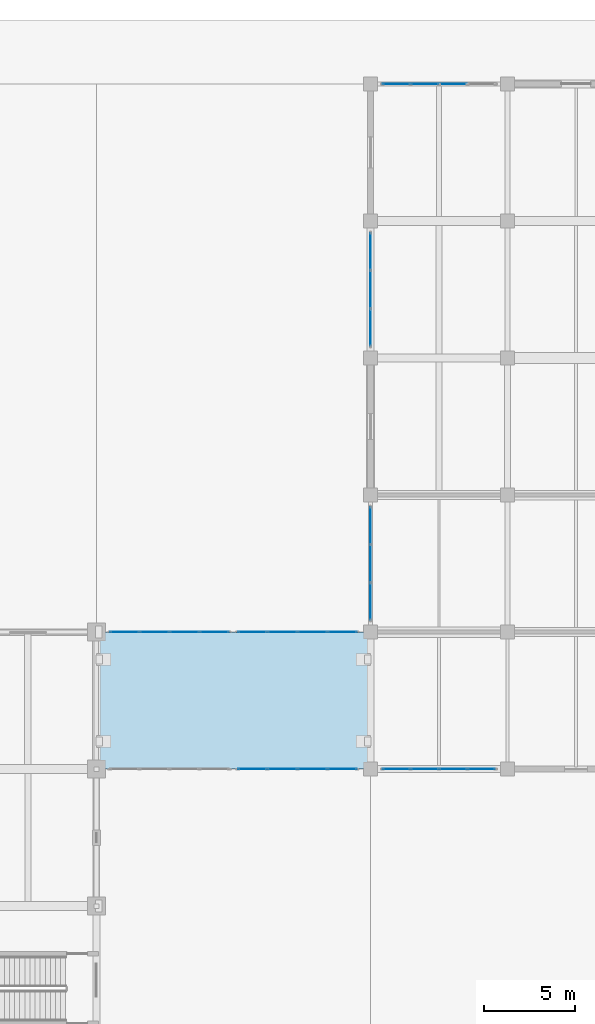
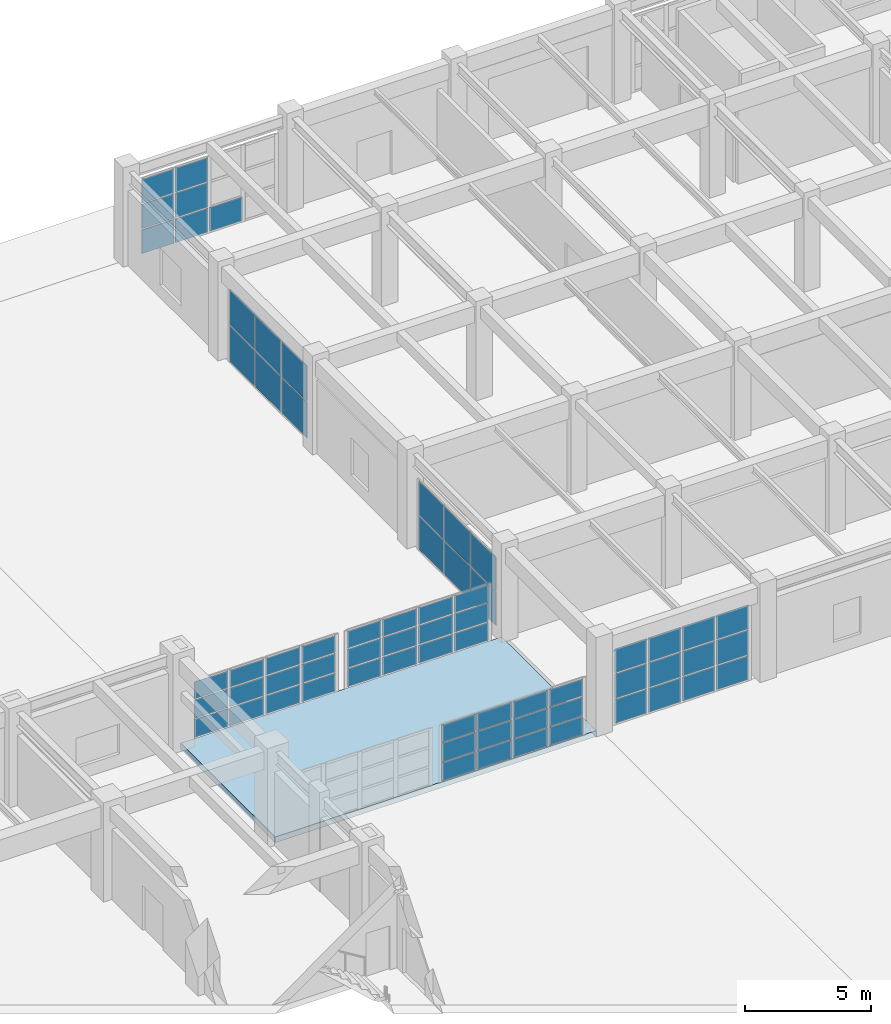
# One storey, part 78 of 122: 67 plates, 1 slab, 7 elements without a shape of their own.
"""IFC4 building model written with IfcOpenShell, lengths in metres."""

from ifc_helpers import new_model, si_unit, direction, frame, origin, origin_2d, place, context, subcontext, project, spatial, polyline, rectangle, outline, extrude, material, layer, layer_set, type_object, element, aggregate, save


model = new_model("IFC4")

# Units and contexts
model_context = context("Model", 3, precision=1e-05, world=origin(), true_north=direction((0.0, 1.0)))
body_context = subcontext(model_context, "Body", "Model", "MODEL_VIEW")
ifc_project = project(units=[si_unit("LENGTHUNIT", "METRE"), si_unit("AREAUNIT", "SQUARE_METRE"), si_unit("VOLUMEUNIT", "CUBIC_METRE"), si_unit("PLANEANGLEUNIT", "RADIAN"), si_unit("MASSUNIT", "GRAM", prefix="KILO")], contexts=[model_context])

# Site, building, storey
site_placement = place(None, origin())
site = spatial("IfcSite", under=ifc_project, at=site_placement, CompositionType="ELEMENT")
building_placement = place(site_placement, origin())
building = spatial("IfcBuilding", under=site, at=building_placement, Name="Qasida Concert Hall", CompositionType="ELEMENT")
storey_placement = place(building_placement, origin())
storey = spatial("IfcBuildingStorey", under=building, at=storey_placement, Name="L00", CompositionType="ELEMENT", Elevation=0.0)

# Curtain wall, plates
ifc_material_1 = material(Name="Architectural bronze-anodized aluminium and low-E glass", Category="aluminium")
curtain_wall_type_1 = type_object("IfcCurtainWallType", Name="CW-03", PredefinedType="NOTDEFINED", material=ifc_material_1)
curtain_wall_1_placement = place(storey_placement, origin())
curtain_wall_1 = element("IfcCurtainWall", 1, at=curtain_wall_1_placement, inside=storey, type_object=curtain_wall_type_1, Name="L00 curtain wall CW-03 0151", PredefinedType="NOTDEFINED")
ifc_material_2 = material(Name="Solar-control low-E double glazing", Category="glass")
ifc_layer_1 = layer(ifc_material_2, 0.031982421875, Name="Solar-control low-E double glazing")
ifc_layer_set_1 = layer_set([ifc_layer_1], Name="Solar-control low-E double glazing")
plate_type_1 = type_object("IfcPlateType", Name="PLT-CWP-2", PredefinedType="CURTAIN_PANEL", material=ifc_layer_set_1)
plate_1_placement = place(storey_placement, frame((121.418701171875, 75.0, 0.06005859375), z_axis=(0.0, 0.0, 1.0), x_axis=(1.0, 0.0, 0.0)))
plate_1 = element("IfcPlate", 2, at=plate_1_placement, type_object=plate_type_1, Name="CW-03 panel 1.1", PredefinedType="CURTAIN_PANEL", context=body_context, shape_type="SweptSolid", body=[
    extrude(rectangle(XDim=1.467529296875, YDim=0.031982421875, at=origin_2d()), origin(), (0.0, 0.0, 1.0), 1.14990234375),
])
plate_2_placement = place(storey_placement, frame((121.418701171875, 75.0, 1.27001953125), z_axis=(0.0, 0.0, 1.0), x_axis=(1.0, 0.0, 0.0)))
plate_2 = element("IfcPlate", 3, at=plate_2_placement, type_object=plate_type_1, Name="CW-03 panel 1.2", PredefinedType="CURTAIN_PANEL", context=body_context, shape_type="SweptSolid", body=[
    extrude(rectangle(XDim=1.467529296875, YDim=0.031982421875, at=origin_2d()), origin(), (0.0, 0.0, 1.0), 1.179931640625),
])
plate_3_placement = place(storey_placement, frame((121.418701171875, 75.0, 2.510009765625), z_axis=(0.0, 0.0, 1.0), x_axis=(1.0, 0.0, 0.0)))
plate_3 = element("IfcPlate", 4, at=plate_3_placement, type_object=plate_type_1, Name="CW-03 panel 1.3", PredefinedType="CURTAIN_PANEL", context=body_context, shape_type="SweptSolid", body=[
    extrude(rectangle(XDim=1.467529296875, YDim=0.031982421875, at=origin_2d()), origin(), (0.0, 0.0, 1.0), 1.14990234375),
])
plate_4_placement = place(storey_placement, frame((122.967529296875, 75.0, 0.06005859375), z_axis=(0.0, 0.0, 1.0), x_axis=(1.0, 0.0, 0.0)))
plate_4 = element("IfcPlate", 5, at=plate_4_placement, type_object=plate_type_1, Name="CW-03 panel 2.1", PredefinedType="CURTAIN_PANEL", context=body_context, shape_type="SweptSolid", body=[
    extrude(rectangle(XDim=1.5, YDim=0.031982421875, at=origin_2d()), origin(), (0.0, 0.0, 1.0), 1.14990234375),
])
plate_5_placement = place(storey_placement, frame((122.967529296875, 75.0, 1.27001953125), z_axis=(0.0, 0.0, 1.0), x_axis=(1.0, 0.0, 0.0)))
plate_5 = element("IfcPlate", 6, at=plate_5_placement, type_object=plate_type_1, Name="CW-03 panel 2.2", PredefinedType="CURTAIN_PANEL", context=body_context, shape_type="SweptSolid", body=[
    extrude(rectangle(XDim=1.5, YDim=0.031982421875, at=origin_2d()), origin(), (0.0, 0.0, 1.0), 1.179931640625),
])
plate_6_placement = place(storey_placement, frame((122.967529296875, 75.0, 2.510009765625), z_axis=(0.0, 0.0, 1.0), x_axis=(1.0, 0.0, 0.0)))
plate_6 = element("IfcPlate", 7, at=plate_6_placement, type_object=plate_type_1, Name="CW-03 panel 2.3", PredefinedType="CURTAIN_PANEL", context=body_context, shape_type="SweptSolid", body=[
    extrude(rectangle(XDim=1.5, YDim=0.031982421875, at=origin_2d()), origin(), (0.0, 0.0, 1.0), 1.14990234375),
])
plate_7_placement = place(storey_placement, frame((124.532470703125, 75.0, 0.06005859375), z_axis=(0.0, 0.0, 1.0), x_axis=(1.0, 0.0, 0.0)))
plate_7 = element("IfcPlate", 8, at=plate_7_placement, type_object=plate_type_1, Name="CW-03 panel 3.1", PredefinedType="CURTAIN_PANEL", context=body_context, shape_type="SweptSolid", body=[
    extrude(rectangle(XDim=1.5, YDim=0.031982421875, at=origin_2d()), origin(), (0.0, 0.0, 1.0), 1.14990234375),
])
plate_8_placement = place(storey_placement, frame((124.532470703125, 75.0, 1.27001953125), z_axis=(0.0, 0.0, 1.0), x_axis=(1.0, 0.0, 0.0)))
plate_8 = element("IfcPlate", 9, at=plate_8_placement, type_object=plate_type_1, Name="CW-03 panel 3.2", PredefinedType="CURTAIN_PANEL", context=body_context, shape_type="SweptSolid", body=[
    extrude(rectangle(XDim=1.5, YDim=0.031982421875, at=origin_2d()), origin(), (0.0, 0.0, 1.0), 1.179931640625),
])
plate_9_placement = place(storey_placement, frame((124.532470703125, 75.0, 2.510009765625), z_axis=(0.0, 0.0, 1.0), x_axis=(1.0, 0.0, 0.0)))
plate_9 = element("IfcPlate", 10, at=plate_9_placement, type_object=plate_type_1, Name="CW-03 panel 3.3", PredefinedType="CURTAIN_PANEL", context=body_context, shape_type="SweptSolid", body=[
    extrude(rectangle(XDim=1.5, YDim=0.031982421875, at=origin_2d()), origin(), (0.0, 0.0, 1.0), 1.14990234375),
])
plate_10_placement = place(storey_placement, frame((126.081298828125, 75.0, 0.06005859375), z_axis=(0.0, 0.0, 1.0), x_axis=(1.0, 0.0, 0.0)))
plate_10 = element("IfcPlate", 11, at=plate_10_placement, type_object=plate_type_1, Name="CW-03 panel 4.1", PredefinedType="CURTAIN_PANEL", context=body_context, shape_type="SweptSolid", body=[
    extrude(rectangle(XDim=1.467529296875, YDim=0.031982421875, at=origin_2d()), origin(), (0.0, 0.0, 1.0), 1.14990234375),
])
plate_11_placement = place(storey_placement, frame((126.081298828125, 75.0, 1.27001953125), z_axis=(0.0, 0.0, 1.0), x_axis=(1.0, 0.0, 0.0)))
plate_11 = element("IfcPlate", 12, at=plate_11_placement, type_object=plate_type_1, Name="CW-03 panel 4.2", PredefinedType="CURTAIN_PANEL", context=body_context, shape_type="SweptSolid", body=[
    extrude(rectangle(XDim=1.467529296875, YDim=0.031982421875, at=origin_2d()), origin(), (0.0, 0.0, 1.0), 1.179931640625),
])
plate_12_placement = place(storey_placement, frame((126.081298828125, 75.0, 2.510009765625), z_axis=(0.0, 0.0, 1.0), x_axis=(1.0, 0.0, 0.0)))
plate_12 = element("IfcPlate", 13, at=plate_12_placement, type_object=plate_type_1, Name="CW-03 panel 4.3", PredefinedType="CURTAIN_PANEL", context=body_context, shape_type="SweptSolid", body=[
    extrude(rectangle(XDim=1.467529296875, YDim=0.031982421875, at=origin_2d()), origin(), (0.0, 0.0, 1.0), 1.14990234375),
])
aggregate(curtain_wall_1, [plate_1, plate_2, plate_3, plate_4, plate_5, plate_6, plate_7, plate_8, plate_9, plate_10, plate_11, plate_12])

curtain_wall_type_2 = type_object("IfcCurtainWallType", Name="CW-04", PredefinedType="NOTDEFINED", material=ifc_material_1)
curtain_wall_2_placement = place(storey_placement, origin())
curtain_wall_2 = element("IfcCurtainWall", 14, at=curtain_wall_2_placement, inside=storey, type_object=curtain_wall_type_2, Name="L00 curtain wall CW-04 0152", PredefinedType="NOTDEFINED")
plate_13_placement = place(storey_placement, frame((121.418701171875, 112.5, 0.06005859375), z_axis=(0.0, 0.0, 1.0), x_axis=(1.0, 0.0, 0.0)))
plate_13 = element("IfcPlate", 15, at=plate_13_placement, type_object=plate_type_1, Name="CW-04 panel 1.1", PredefinedType="CURTAIN_PANEL", context=body_context, shape_type="SweptSolid", body=[
    extrude(rectangle(XDim=1.467529296875, YDim=0.031982421875, at=origin_2d()), origin(), (0.0, 0.0, 1.0), 1.14990234375),
])
plate_14_placement = place(storey_placement, frame((121.418701171875, 112.5, 1.27001953125), z_axis=(0.0, 0.0, 1.0), x_axis=(1.0, 0.0, 0.0)))
plate_14 = element("IfcPlate", 16, at=plate_14_placement, type_object=plate_type_1, Name="CW-04 panel 1.2", PredefinedType="CURTAIN_PANEL", context=body_context, shape_type="SweptSolid", body=[
    extrude(rectangle(XDim=1.467529296875, YDim=0.031982421875, at=origin_2d()), origin(), (0.0, 0.0, 1.0), 1.179931640625),
])
plate_15_placement = place(storey_placement, frame((121.418701171875, 112.5, 2.510009765625), z_axis=(0.0, 0.0, 1.0), x_axis=(1.0, 0.0, 0.0)))
plate_15 = element("IfcPlate", 17, at=plate_15_placement, type_object=plate_type_1, Name="CW-04 panel 1.3", PredefinedType="CURTAIN_PANEL", context=body_context, shape_type="SweptSolid", body=[
    extrude(rectangle(XDim=1.467529296875, YDim=0.031982421875, at=origin_2d()), origin(), (0.0, 0.0, 1.0), 1.14990234375),
])
plate_16_placement = place(storey_placement, frame((122.967529296875, 112.5, 0.06005859375), z_axis=(0.0, 0.0, 1.0), x_axis=(1.0, 0.0, 0.0)))
plate_16 = element("IfcPlate", 18, at=plate_16_placement, type_object=plate_type_1, Name="CW-04 panel 2.1", PredefinedType="CURTAIN_PANEL", context=body_context, shape_type="SweptSolid", body=[
    extrude(rectangle(XDim=1.5, YDim=0.031982421875, at=origin_2d()), origin(), (0.0, 0.0, 1.0), 1.14990234375),
])
plate_17_placement = place(storey_placement, frame((122.967529296875, 112.5, 1.27001953125), z_axis=(0.0, 0.0, 1.0), x_axis=(1.0, 0.0, 0.0)))
plate_17 = element("IfcPlate", 19, at=plate_17_placement, type_object=plate_type_1, Name="CW-04 panel 2.2", PredefinedType="CURTAIN_PANEL", context=body_context, shape_type="SweptSolid", body=[
    extrude(rectangle(XDim=1.5, YDim=0.031982421875, at=origin_2d()), origin(), (0.0, 0.0, 1.0), 1.179931640625),
])
plate_18_placement = place(storey_placement, frame((122.967529296875, 112.5, 2.510009765625), z_axis=(0.0, 0.0, 1.0), x_axis=(1.0, 0.0, 0.0)))
plate_18 = element("IfcPlate", 20, at=plate_18_placement, type_object=plate_type_1, Name="CW-04 panel 2.3", PredefinedType="CURTAIN_PANEL", context=body_context, shape_type="SweptSolid", body=[
    extrude(rectangle(XDim=1.5, YDim=0.031982421875, at=origin_2d()), origin(), (0.0, 0.0, 1.0), 1.14990234375),
])
plate_19_placement = place(storey_placement, frame((124.532470703125, 112.5, 0.06005859375), z_axis=(0.0, 0.0, 1.0), x_axis=(1.0, 0.0, 0.0)))
plate_19 = element("IfcPlate", 21, at=plate_19_placement, type_object=plate_type_1, Name="CW-04 panel 3.1", PredefinedType="CURTAIN_PANEL", context=body_context, shape_type="SweptSolid", body=[
    extrude(rectangle(XDim=1.5, YDim=0.031982421875, at=origin_2d()), origin(), (0.0, 0.0, 1.0), 1.14990234375),
])
aggregate(curtain_wall_2, [plate_13, plate_14, plate_15, plate_16, plate_17, plate_18, plate_19])

curtain_wall_type_3 = type_object("IfcCurtainWallType", Name="CW-09", PredefinedType="NOTDEFINED", material=ifc_material_1)
curtain_wall_3_placement = place(storey_placement, origin())
curtain_wall_3 = element("IfcCurtainWall", 22, at=curtain_wall_3_placement, inside=storey, type_object=curtain_wall_type_3, Name="L00 curtain wall CW-09 0156", PredefinedType="NOTDEFINED")
ifc_layer_2 = layer(ifc_material_2, 0.028076171875, Name="Solar-control low-E double glazing")
ifc_layer_set_2 = layer_set([ifc_layer_2], Name="Solar-control low-E double glazing")
plate_type_2 = type_object("IfcPlateType", Name="PLT-CWP-3", PredefinedType="CURTAIN_PANEL", material=ifc_layer_set_2)
plate_20_placement = place(storey_placement, frame((120.0, 84.17822265625, 0.06005859375), z_axis=(0.0, 0.0, 1.0), x_axis=(0.0, 1.0, 0.0)))
plate_20 = element("IfcPlate", 23, at=plate_20_placement, type_object=plate_type_2, Name="CW-09 panel 1.1", PredefinedType="CURTAIN_PANEL", context=body_context, shape_type="SweptSolid", body=[
    extrude(rectangle(XDim=1.99658203125, YDim=0.028076171875, at=origin_2d()), origin(), (0.0, 0.0, 1.0), 1.6201171875),
])
plate_21_placement = place(storey_placement, frame((120.0, 84.17822265625, 1.739990234375), z_axis=(0.0, 0.0, 1.0), x_axis=(0.0, 1.0, 0.0)))
plate_21 = element("IfcPlate", 24, at=plate_21_placement, type_object=plate_type_2, Name="CW-09 panel 1.2", PredefinedType="CURTAIN_PANEL", context=body_context, shape_type="SweptSolid", body=[
    extrude(rectangle(XDim=1.99658203125, YDim=0.028076171875, at=origin_2d()), origin(), (0.0, 0.0, 1.0), 1.6201171875),
])
plate_22_placement = place(storey_placement, frame((120.0, 86.25, 0.06005859375), z_axis=(0.0, 0.0, 1.0), x_axis=(0.0, 1.0, 0.0)))
plate_22 = element("IfcPlate", 25, at=plate_22_placement, type_object=plate_type_2, Name="CW-09 panel 2.1", PredefinedType="CURTAIN_PANEL", context=body_context, shape_type="SweptSolid", body=[
    extrude(rectangle(XDim=2.026611328125, YDim=0.028076171875, at=origin_2d()), origin(), (0.0, 0.0, 1.0), 1.6201171875),
])
plate_23_placement = place(storey_placement, frame((120.0, 86.25, 1.739990234375), z_axis=(0.0, 0.0, 1.0), x_axis=(0.0, 1.0, 0.0)))
plate_23 = element("IfcPlate", 26, at=plate_23_placement, type_object=plate_type_2, Name="CW-09 panel 2.2", PredefinedType="CURTAIN_PANEL", context=body_context, shape_type="SweptSolid", body=[
    extrude(rectangle(XDim=2.026611328125, YDim=0.028076171875, at=origin_2d()), origin(), (0.0, 0.0, 1.0), 1.6201171875),
])
plate_24_placement = place(storey_placement, frame((120.0, 88.32177734375, 0.06005859375), z_axis=(0.0, 0.0, 1.0), x_axis=(0.0, 1.0, 0.0)))
plate_24 = element("IfcPlate", 27, at=plate_24_placement, type_object=plate_type_2, Name="CW-09 panel 3.1", PredefinedType="CURTAIN_PANEL", context=body_context, shape_type="SweptSolid", body=[
    extrude(rectangle(XDim=1.99658203125, YDim=0.028076171875, at=origin_2d()), origin(), (0.0, 0.0, 1.0), 1.6201171875),
])
plate_25_placement = place(storey_placement, frame((120.0, 88.32177734375, 1.739990234375), z_axis=(0.0, 0.0, 1.0), x_axis=(0.0, 1.0, 0.0)))
plate_25 = element("IfcPlate", 28, at=plate_25_placement, type_object=plate_type_2, Name="CW-09 panel 3.2", PredefinedType="CURTAIN_PANEL", context=body_context, shape_type="SweptSolid", body=[
    extrude(rectangle(XDim=1.99658203125, YDim=0.028076171875, at=origin_2d()), origin(), (0.0, 0.0, 1.0), 1.6201171875),
])
aggregate(curtain_wall_3, [plate_20, plate_21, plate_22, plate_23, plate_24, plate_25])

curtain_wall_4_placement = place(storey_placement, origin())
curtain_wall_4 = element("IfcCurtainWall", 29, at=curtain_wall_4_placement, inside=storey, type_object=curtain_wall_type_3, Name="L00 curtain wall CW-09 0158", PredefinedType="NOTDEFINED")
plate_26_placement = place(storey_placement, frame((120.0, 99.17822265625, 0.06005859375), z_axis=(0.0, 0.0, 1.0), x_axis=(0.0, 1.0, 0.0)))
plate_26 = element("IfcPlate", 30, at=plate_26_placement, type_object=plate_type_2, Name="CW-09 panel 1.1", PredefinedType="CURTAIN_PANEL", context=body_context, shape_type="SweptSolid", body=[
    extrude(rectangle(XDim=1.99658203125, YDim=0.028076171875, at=origin_2d()), origin(), (0.0, 0.0, 1.0), 1.719970703125),
])
plate_27_placement = place(storey_placement, frame((120.0, 99.17822265625, 1.83984375), z_axis=(0.0, 0.0, 1.0), x_axis=(0.0, 1.0, 0.0)))
plate_27 = element("IfcPlate", 31, at=plate_27_placement, type_object=plate_type_2, Name="CW-09 panel 1.2", PredefinedType="CURTAIN_PANEL", context=body_context, shape_type="SweptSolid", body=[
    extrude(rectangle(XDim=1.99658203125, YDim=0.028076171875, at=origin_2d()), origin(), (0.0, 0.0, 1.0), 1.719970703125),
])
plate_28_placement = place(storey_placement, frame((120.0, 101.25, 0.06005859375), z_axis=(0.0, 0.0, 1.0), x_axis=(0.0, 1.0, 0.0)))
plate_28 = element("IfcPlate", 32, at=plate_28_placement, type_object=plate_type_2, Name="CW-09 panel 2.1", PredefinedType="CURTAIN_PANEL", context=body_context, shape_type="SweptSolid", body=[
    extrude(rectangle(XDim=2.026611328125, YDim=0.028076171875, at=origin_2d()), origin(), (0.0, 0.0, 1.0), 1.719970703125),
])
plate_29_placement = place(storey_placement, frame((120.0, 101.25, 1.83984375), z_axis=(0.0, 0.0, 1.0), x_axis=(0.0, 1.0, 0.0)))
plate_29 = element("IfcPlate", 33, at=plate_29_placement, type_object=plate_type_2, Name="CW-09 panel 2.2", PredefinedType="CURTAIN_PANEL", context=body_context, shape_type="SweptSolid", body=[
    extrude(rectangle(XDim=2.026611328125, YDim=0.028076171875, at=origin_2d()), origin(), (0.0, 0.0, 1.0), 1.719970703125),
])
plate_30_placement = place(storey_placement, frame((120.0, 103.32177734375, 0.06005859375), z_axis=(0.0, 0.0, 1.0), x_axis=(0.0, 1.0, 0.0)))
plate_30 = element("IfcPlate", 34, at=plate_30_placement, type_object=plate_type_2, Name="CW-09 panel 3.1", PredefinedType="CURTAIN_PANEL", context=body_context, shape_type="SweptSolid", body=[
    extrude(rectangle(XDim=1.99658203125, YDim=0.028076171875, at=origin_2d()), origin(), (0.0, 0.0, 1.0), 1.719970703125),
])
plate_31_placement = place(storey_placement, frame((120.0, 103.32177734375, 1.83984375), z_axis=(0.0, 0.0, 1.0), x_axis=(0.0, 1.0, 0.0)))
plate_31 = element("IfcPlate", 35, at=plate_31_placement, type_object=plate_type_2, Name="CW-09 panel 3.2", PredefinedType="CURTAIN_PANEL", context=body_context, shape_type="SweptSolid", body=[
    extrude(rectangle(XDim=1.99658203125, YDim=0.028076171875, at=origin_2d()), origin(), (0.0, 0.0, 1.0), 1.719970703125),
])
aggregate(curtain_wall_4, [plate_26, plate_27, plate_28, plate_29, plate_30, plate_31])

curtain_wall_type_4 = type_object("IfcCurtainWallType", Name="CW-08", PredefinedType="NOTDEFINED", material=ifc_material_1)
curtain_wall_5_placement = place(storey_placement, origin())
curtain_wall_5 = element("IfcCurtainWall", 36, at=curtain_wall_5_placement, inside=storey, type_object=curtain_wall_type_4, Name="L00 link bridge glazing 0223", PredefinedType="NOTDEFINED")
ifc_layer_3 = layer(ifc_material_2, 0.02392578125, Name="Solar-control low-E double glazing")
ifc_layer_set_3 = layer_set([ifc_layer_3], Name="Solar-control low-E double glazing")
plate_type_3 = type_object("IfcPlateType", Name="PLT-CWP-5", PredefinedType="CURTAIN_PANEL", material=ifc_layer_set_3)
plate_32_placement = place(storey_placement, frame((106.541259765625, 82.5, 0.06005859375), z_axis=(0.0, 0.0, 1.0), x_axis=(1.0, 0.0, 0.0)))
plate_32 = element("IfcPlate", 37, at=plate_32_placement, type_object=plate_type_3, Name="CW-08 panel 1.1", PredefinedType="CURTAIN_PANEL", context=body_context, shape_type="SweptSolid", body=[
    extrude(rectangle(XDim=1.552490234375, YDim=0.02392578125, at=origin_2d()), origin(), (0.0, 0.0, 1.0), 0.860107421875),
])
plate_33_placement = place(storey_placement, frame((106.541259765625, 82.5, 0.97998046875), z_axis=(0.0, 0.0, 1.0), x_axis=(1.0, 0.0, 0.0)))
plate_33 = element("IfcPlate", 38, at=plate_33_placement, type_object=plate_type_3, Name="CW-08 panel 1.2", PredefinedType="CURTAIN_PANEL", context=body_context, shape_type="SweptSolid", body=[
    extrude(rectangle(XDim=1.552490234375, YDim=0.02392578125, at=origin_2d()), origin(), (0.0, 0.0, 1.0), 0.889892578125),
])
plate_34_placement = place(storey_placement, frame((106.541259765625, 82.5, 1.929931640625), z_axis=(0.0, 0.0, 1.0), x_axis=(1.0, 0.0, 0.0)))
plate_34 = element("IfcPlate", 39, at=plate_34_placement, type_object=plate_type_3, Name="CW-08 panel 1.3", PredefinedType="CURTAIN_PANEL", context=body_context, shape_type="SweptSolid", body=[
    extrude(rectangle(XDim=1.552490234375, YDim=0.02392578125, at=origin_2d()), origin(), (0.0, 0.0, 1.0), 0.81005859375),
])
plate_35_placement = place(storey_placement, frame((108.175048828125, 82.5, 0.06005859375), z_axis=(0.0, 0.0, 1.0), x_axis=(1.0, 0.0, 0.0)))
plate_35 = element("IfcPlate", 40, at=plate_35_placement, type_object=plate_type_3, Name="CW-08 panel 2.1", PredefinedType="CURTAIN_PANEL", context=body_context, shape_type="SweptSolid", body=[
    extrude(rectangle(XDim=1.5849609375, YDim=0.02392578125, at=origin_2d()), origin(), (0.0, 0.0, 1.0), 0.860107421875),
])
plate_36_placement = place(storey_placement, frame((108.175048828125, 82.5, 0.97998046875), z_axis=(0.0, 0.0, 1.0), x_axis=(1.0, 0.0, 0.0)))
plate_36 = element("IfcPlate", 41, at=plate_36_placement, type_object=plate_type_3, Name="CW-08 panel 2.2", PredefinedType="CURTAIN_PANEL", context=body_context, shape_type="SweptSolid", body=[
    extrude(rectangle(XDim=1.5849609375, YDim=0.02392578125, at=origin_2d()), origin(), (0.0, 0.0, 1.0), 0.889892578125),
])
plate_37_placement = place(storey_placement, frame((108.175048828125, 82.5, 1.929931640625), z_axis=(0.0, 0.0, 1.0), x_axis=(1.0, 0.0, 0.0)))
plate_37 = element("IfcPlate", 42, at=plate_37_placement, type_object=plate_type_3, Name="CW-08 panel 2.3", PredefinedType="CURTAIN_PANEL", context=body_context, shape_type="SweptSolid", body=[
    extrude(rectangle(XDim=1.5849609375, YDim=0.02392578125, at=origin_2d()), origin(), (0.0, 0.0, 1.0), 0.81005859375),
])
plate_38_placement = place(storey_placement, frame((109.824951171875, 82.5, 0.06005859375), z_axis=(0.0, 0.0, 1.0), x_axis=(1.0, 0.0, 0.0)))
plate_38 = element("IfcPlate", 43, at=plate_38_placement, type_object=plate_type_3, Name="CW-08 panel 3.1", PredefinedType="CURTAIN_PANEL", context=body_context, shape_type="SweptSolid", body=[
    extrude(rectangle(XDim=1.5849609375, YDim=0.02392578125, at=origin_2d()), origin(), (0.0, 0.0, 1.0), 0.860107421875),
])
plate_39_placement = place(storey_placement, frame((109.824951171875, 82.5, 0.97998046875), z_axis=(0.0, 0.0, 1.0), x_axis=(1.0, 0.0, 0.0)))
plate_39 = element("IfcPlate", 44, at=plate_39_placement, type_object=plate_type_3, Name="CW-08 panel 3.2", PredefinedType="CURTAIN_PANEL", context=body_context, shape_type="SweptSolid", body=[
    extrude(rectangle(XDim=1.5849609375, YDim=0.02392578125, at=origin_2d()), origin(), (0.0, 0.0, 1.0), 0.889892578125),
])
plate_40_placement = place(storey_placement, frame((109.824951171875, 82.5, 1.929931640625), z_axis=(0.0, 0.0, 1.0), x_axis=(1.0, 0.0, 0.0)))
plate_40 = element("IfcPlate", 45, at=plate_40_placement, type_object=plate_type_3, Name="CW-08 panel 3.3", PredefinedType="CURTAIN_PANEL", context=body_context, shape_type="SweptSolid", body=[
    extrude(rectangle(XDim=1.5849609375, YDim=0.02392578125, at=origin_2d()), origin(), (0.0, 0.0, 1.0), 0.81005859375),
])
plate_41_placement = place(storey_placement, frame((111.458740234375, 82.5, 0.06005859375), z_axis=(0.0, 0.0, 1.0), x_axis=(1.0, 0.0, 0.0)))
plate_41 = element("IfcPlate", 46, at=plate_41_placement, type_object=plate_type_3, Name="CW-08 panel 4.1", PredefinedType="CURTAIN_PANEL", context=body_context, shape_type="SweptSolid", body=[
    extrude(rectangle(XDim=1.552490234375, YDim=0.02392578125, at=origin_2d()), origin(), (0.0, 0.0, 1.0), 0.860107421875),
])
plate_42_placement = place(storey_placement, frame((111.458740234375, 82.5, 0.97998046875), z_axis=(0.0, 0.0, 1.0), x_axis=(1.0, 0.0, 0.0)))
plate_42 = element("IfcPlate", 47, at=plate_42_placement, type_object=plate_type_3, Name="CW-08 panel 4.2", PredefinedType="CURTAIN_PANEL", context=body_context, shape_type="SweptSolid", body=[
    extrude(rectangle(XDim=1.552490234375, YDim=0.02392578125, at=origin_2d()), origin(), (0.0, 0.0, 1.0), 0.889892578125),
])
plate_43_placement = place(storey_placement, frame((111.458740234375, 82.5, 1.929931640625), z_axis=(0.0, 0.0, 1.0), x_axis=(1.0, 0.0, 0.0)))
plate_43 = element("IfcPlate", 48, at=plate_43_placement, type_object=plate_type_3, Name="CW-08 panel 4.3", PredefinedType="CURTAIN_PANEL", context=body_context, shape_type="SweptSolid", body=[
    extrude(rectangle(XDim=1.552490234375, YDim=0.02392578125, at=origin_2d()), origin(), (0.0, 0.0, 1.0), 0.81005859375),
])
aggregate(curtain_wall_5, [plate_32, plate_33, plate_34, plate_35, plate_36, plate_37, plate_38, plate_39, plate_40, plate_41, plate_42, plate_43])

curtain_wall_6_placement = place(storey_placement, origin())
curtain_wall_6 = element("IfcCurtainWall", 49, at=curtain_wall_6_placement, inside=storey, type_object=curtain_wall_type_4, Name="L00 link bridge glazing 0224", PredefinedType="NOTDEFINED")
plate_44_placement = place(storey_placement, frame((113.541259765625, 75.0, 0.06005859375), z_axis=(0.0, 0.0, 1.0), x_axis=(1.0, 0.0, 0.0)))
plate_44 = element("IfcPlate", 50, at=plate_44_placement, type_object=plate_type_3, Name="CW-08 panel 1.1", PredefinedType="CURTAIN_PANEL", context=body_context, shape_type="SweptSolid", body=[
    extrude(rectangle(XDim=1.552490234375, YDim=0.02392578125, at=origin_2d()), origin(), (0.0, 0.0, 1.0), 0.860107421875),
])
plate_45_placement = place(storey_placement, frame((113.541259765625, 75.0, 0.97998046875), z_axis=(0.0, 0.0, 1.0), x_axis=(1.0, 0.0, 0.0)))
plate_45 = element("IfcPlate", 51, at=plate_45_placement, type_object=plate_type_3, Name="CW-08 panel 1.2", PredefinedType="CURTAIN_PANEL", context=body_context, shape_type="SweptSolid", body=[
    extrude(rectangle(XDim=1.552490234375, YDim=0.02392578125, at=origin_2d()), origin(), (0.0, 0.0, 1.0), 0.889892578125),
])
plate_46_placement = place(storey_placement, frame((113.541259765625, 75.0, 1.929931640625), z_axis=(0.0, 0.0, 1.0), x_axis=(1.0, 0.0, 0.0)))
plate_46 = element("IfcPlate", 52, at=plate_46_placement, type_object=plate_type_3, Name="CW-08 panel 1.3", PredefinedType="CURTAIN_PANEL", context=body_context, shape_type="SweptSolid", body=[
    extrude(rectangle(XDim=1.552490234375, YDim=0.02392578125, at=origin_2d()), origin(), (0.0, 0.0, 1.0), 0.81005859375),
])
plate_47_placement = place(storey_placement, frame((115.175048828125, 75.0, 0.06005859375), z_axis=(0.0, 0.0, 1.0), x_axis=(1.0, 0.0, 0.0)))
plate_47 = element("IfcPlate", 53, at=plate_47_placement, type_object=plate_type_3, Name="CW-08 panel 2.1", PredefinedType="CURTAIN_PANEL", context=body_context, shape_type="SweptSolid", body=[
    extrude(rectangle(XDim=1.5849609375, YDim=0.02392578125, at=origin_2d()), origin(), (0.0, 0.0, 1.0), 0.860107421875),
])
plate_48_placement = place(storey_placement, frame((115.175048828125, 75.0, 0.97998046875), z_axis=(0.0, 0.0, 1.0), x_axis=(1.0, 0.0, 0.0)))
plate_48 = element("IfcPlate", 54, at=plate_48_placement, type_object=plate_type_3, Name="CW-08 panel 2.2", PredefinedType="CURTAIN_PANEL", context=body_context, shape_type="SweptSolid", body=[
    extrude(rectangle(XDim=1.5849609375, YDim=0.02392578125, at=origin_2d()), origin(), (0.0, 0.0, 1.0), 0.889892578125),
])
plate_49_placement = place(storey_placement, frame((115.175048828125, 75.0, 1.929931640625), z_axis=(0.0, 0.0, 1.0), x_axis=(1.0, 0.0, 0.0)))
plate_49 = element("IfcPlate", 55, at=plate_49_placement, type_object=plate_type_3, Name="CW-08 panel 2.3", PredefinedType="CURTAIN_PANEL", context=body_context, shape_type="SweptSolid", body=[
    extrude(rectangle(XDim=1.5849609375, YDim=0.02392578125, at=origin_2d()), origin(), (0.0, 0.0, 1.0), 0.81005859375),
])
plate_50_placement = place(storey_placement, frame((116.824951171875, 75.0, 0.06005859375), z_axis=(0.0, 0.0, 1.0), x_axis=(1.0, 0.0, 0.0)))
plate_50 = element("IfcPlate", 56, at=plate_50_placement, type_object=plate_type_3, Name="CW-08 panel 3.1", PredefinedType="CURTAIN_PANEL", context=body_context, shape_type="SweptSolid", body=[
    extrude(rectangle(XDim=1.5849609375, YDim=0.02392578125, at=origin_2d()), origin(), (0.0, 0.0, 1.0), 0.860107421875),
])
plate_51_placement = place(storey_placement, frame((116.824951171875, 75.0, 0.97998046875), z_axis=(0.0, 0.0, 1.0), x_axis=(1.0, 0.0, 0.0)))
plate_51 = element("IfcPlate", 57, at=plate_51_placement, type_object=plate_type_3, Name="CW-08 panel 3.2", PredefinedType="CURTAIN_PANEL", context=body_context, shape_type="SweptSolid", body=[
    extrude(rectangle(XDim=1.5849609375, YDim=0.02392578125, at=origin_2d()), origin(), (0.0, 0.0, 1.0), 0.889892578125),
])
plate_52_placement = place(storey_placement, frame((116.824951171875, 75.0, 1.929931640625), z_axis=(0.0, 0.0, 1.0), x_axis=(1.0, 0.0, 0.0)))
plate_52 = element("IfcPlate", 58, at=plate_52_placement, type_object=plate_type_3, Name="CW-08 panel 3.3", PredefinedType="CURTAIN_PANEL", context=body_context, shape_type="SweptSolid", body=[
    extrude(rectangle(XDim=1.5849609375, YDim=0.02392578125, at=origin_2d()), origin(), (0.0, 0.0, 1.0), 0.81005859375),
])
plate_53_placement = place(storey_placement, frame((118.458740234375, 75.0, 0.06005859375), z_axis=(0.0, 0.0, 1.0), x_axis=(1.0, 0.0, 0.0)))
plate_53 = element("IfcPlate", 59, at=plate_53_placement, type_object=plate_type_3, Name="CW-08 panel 4.1", PredefinedType="CURTAIN_PANEL", context=body_context, shape_type="SweptSolid", body=[
    extrude(rectangle(XDim=1.552490234375, YDim=0.02392578125, at=origin_2d()), origin(), (0.0, 0.0, 1.0), 0.860107421875),
])
plate_54_placement = place(storey_placement, frame((118.458740234375, 75.0, 0.97998046875), z_axis=(0.0, 0.0, 1.0), x_axis=(1.0, 0.0, 0.0)))
plate_54 = element("IfcPlate", 60, at=plate_54_placement, type_object=plate_type_3, Name="CW-08 panel 4.2", PredefinedType="CURTAIN_PANEL", context=body_context, shape_type="SweptSolid", body=[
    extrude(rectangle(XDim=1.552490234375, YDim=0.02392578125, at=origin_2d()), origin(), (0.0, 0.0, 1.0), 0.889892578125),
])
plate_55_placement = place(storey_placement, frame((118.458740234375, 75.0, 1.929931640625), z_axis=(0.0, 0.0, 1.0), x_axis=(1.0, 0.0, 0.0)))
plate_55 = element("IfcPlate", 61, at=plate_55_placement, type_object=plate_type_3, Name="CW-08 panel 4.3", PredefinedType="CURTAIN_PANEL", context=body_context, shape_type="SweptSolid", body=[
    extrude(rectangle(XDim=1.552490234375, YDim=0.02392578125, at=origin_2d()), origin(), (0.0, 0.0, 1.0), 0.81005859375),
])
aggregate(curtain_wall_6, [plate_44, plate_45, plate_46, plate_47, plate_48, plate_49, plate_50, plate_51, plate_52, plate_53, plate_54, plate_55])

curtain_wall_7_placement = place(storey_placement, origin())
curtain_wall_7 = element("IfcCurtainWall", 62, at=curtain_wall_7_placement, inside=storey, type_object=curtain_wall_type_4, Name="L00 link bridge glazing 0225", PredefinedType="NOTDEFINED")
plate_56_placement = place(storey_placement, frame((113.541259765625, 82.5, 0.06005859375), z_axis=(0.0, 0.0, 1.0), x_axis=(1.0, 0.0, 0.0)))
plate_56 = element("IfcPlate", 63, at=plate_56_placement, type_object=plate_type_3, Name="CW-08 panel 1.1", PredefinedType="CURTAIN_PANEL", context=body_context, shape_type="SweptSolid", body=[
    extrude(rectangle(XDim=1.552490234375, YDim=0.02392578125, at=origin_2d()), origin(), (0.0, 0.0, 1.0), 0.860107421875),
])
plate_57_placement = place(storey_placement, frame((113.541259765625, 82.5, 0.97998046875), z_axis=(0.0, 0.0, 1.0), x_axis=(1.0, 0.0, 0.0)))
plate_57 = element("IfcPlate", 64, at=plate_57_placement, type_object=plate_type_3, Name="CW-08 panel 1.2", PredefinedType="CURTAIN_PANEL", context=body_context, shape_type="SweptSolid", body=[
    extrude(rectangle(XDim=1.552490234375, YDim=0.02392578125, at=origin_2d()), origin(), (0.0, 0.0, 1.0), 0.889892578125),
])
plate_58_placement = place(storey_placement, frame((113.541259765625, 82.5, 1.929931640625), z_axis=(0.0, 0.0, 1.0), x_axis=(1.0, 0.0, 0.0)))
plate_58 = element("IfcPlate", 65, at=plate_58_placement, type_object=plate_type_3, Name="CW-08 panel 1.3", PredefinedType="CURTAIN_PANEL", context=body_context, shape_type="SweptSolid", body=[
    extrude(rectangle(XDim=1.552490234375, YDim=0.02392578125, at=origin_2d()), origin(), (0.0, 0.0, 1.0), 0.81005859375),
])
plate_59_placement = place(storey_placement, frame((115.175048828125, 82.5, 0.06005859375), z_axis=(0.0, 0.0, 1.0), x_axis=(1.0, 0.0, 0.0)))
plate_59 = element("IfcPlate", 66, at=plate_59_placement, type_object=plate_type_3, Name="CW-08 panel 2.1", PredefinedType="CURTAIN_PANEL", context=body_context, shape_type="SweptSolid", body=[
    extrude(rectangle(XDim=1.5849609375, YDim=0.02392578125, at=origin_2d()), origin(), (0.0, 0.0, 1.0), 0.860107421875),
])
plate_60_placement = place(storey_placement, frame((115.175048828125, 82.5, 0.97998046875), z_axis=(0.0, 0.0, 1.0), x_axis=(1.0, 0.0, 0.0)))
plate_60 = element("IfcPlate", 67, at=plate_60_placement, type_object=plate_type_3, Name="CW-08 panel 2.2", PredefinedType="CURTAIN_PANEL", context=body_context, shape_type="SweptSolid", body=[
    extrude(rectangle(XDim=1.5849609375, YDim=0.02392578125, at=origin_2d()), origin(), (0.0, 0.0, 1.0), 0.889892578125),
])
plate_61_placement = place(storey_placement, frame((115.175048828125, 82.5, 1.929931640625), z_axis=(0.0, 0.0, 1.0), x_axis=(1.0, 0.0, 0.0)))
plate_61 = element("IfcPlate", 68, at=plate_61_placement, type_object=plate_type_3, Name="CW-08 panel 2.3", PredefinedType="CURTAIN_PANEL", context=body_context, shape_type="SweptSolid", body=[
    extrude(rectangle(XDim=1.5849609375, YDim=0.02392578125, at=origin_2d()), origin(), (0.0, 0.0, 1.0), 0.81005859375),
])
plate_62_placement = place(storey_placement, frame((116.824951171875, 82.5, 0.06005859375), z_axis=(0.0, 0.0, 1.0), x_axis=(1.0, 0.0, 0.0)))
plate_62 = element("IfcPlate", 69, at=plate_62_placement, type_object=plate_type_3, Name="CW-08 panel 3.1", PredefinedType="CURTAIN_PANEL", context=body_context, shape_type="SweptSolid", body=[
    extrude(rectangle(XDim=1.5849609375, YDim=0.02392578125, at=origin_2d()), origin(), (0.0, 0.0, 1.0), 0.860107421875),
])
plate_63_placement = place(storey_placement, frame((116.824951171875, 82.5, 0.97998046875), z_axis=(0.0, 0.0, 1.0), x_axis=(1.0, 0.0, 0.0)))
plate_63 = element("IfcPlate", 70, at=plate_63_placement, type_object=plate_type_3, Name="CW-08 panel 3.2", PredefinedType="CURTAIN_PANEL", context=body_context, shape_type="SweptSolid", body=[
    extrude(rectangle(XDim=1.5849609375, YDim=0.02392578125, at=origin_2d()), origin(), (0.0, 0.0, 1.0), 0.889892578125),
])
plate_64_placement = place(storey_placement, frame((116.824951171875, 82.5, 1.929931640625), z_axis=(0.0, 0.0, 1.0), x_axis=(1.0, 0.0, 0.0)))
plate_64 = element("IfcPlate", 71, at=plate_64_placement, type_object=plate_type_3, Name="CW-08 panel 3.3", PredefinedType="CURTAIN_PANEL", context=body_context, shape_type="SweptSolid", body=[
    extrude(rectangle(XDim=1.5849609375, YDim=0.02392578125, at=origin_2d()), origin(), (0.0, 0.0, 1.0), 0.81005859375),
])
plate_65_placement = place(storey_placement, frame((118.458740234375, 82.5, 0.06005859375), z_axis=(0.0, 0.0, 1.0), x_axis=(1.0, 0.0, 0.0)))
plate_65 = element("IfcPlate", 72, at=plate_65_placement, type_object=plate_type_3, Name="CW-08 panel 4.1", PredefinedType="CURTAIN_PANEL", context=body_context, shape_type="SweptSolid", body=[
    extrude(rectangle(XDim=1.552490234375, YDim=0.02392578125, at=origin_2d()), origin(), (0.0, 0.0, 1.0), 0.860107421875),
])
plate_66_placement = place(storey_placement, frame((118.458740234375, 82.5, 0.97998046875), z_axis=(0.0, 0.0, 1.0), x_axis=(1.0, 0.0, 0.0)))
plate_66 = element("IfcPlate", 73, at=plate_66_placement, type_object=plate_type_3, Name="CW-08 panel 4.2", PredefinedType="CURTAIN_PANEL", context=body_context, shape_type="SweptSolid", body=[
    extrude(rectangle(XDim=1.552490234375, YDim=0.02392578125, at=origin_2d()), origin(), (0.0, 0.0, 1.0), 0.889892578125),
])
plate_67_placement = place(storey_placement, frame((118.458740234375, 82.5, 1.929931640625), z_axis=(0.0, 0.0, 1.0), x_axis=(1.0, 0.0, 0.0)))
plate_67 = element("IfcPlate", 74, at=plate_67_placement, type_object=plate_type_3, Name="CW-08 panel 4.3", PredefinedType="CURTAIN_PANEL", context=body_context, shape_type="SweptSolid", body=[
    extrude(rectangle(XDim=1.552490234375, YDim=0.02392578125, at=origin_2d()), origin(), (0.0, 0.0, 1.0), 0.81005859375),
])
aggregate(curtain_wall_7, [plate_56, plate_57, plate_58, plate_59, plate_60, plate_61, plate_62, plate_63, plate_64, plate_65, plate_66, plate_67])

# Slab
ifc_material_3 = material(Name="Concrete C40/50", Category="concrete")
ifc_layer_4 = layer(ifc_material_3, 0.280029296875, Name="Concrete C40/50")
ifc_layer_set_4 = layer_set([ifc_layer_4], Name="Concrete C40/50")
slab_type = type_object("IfcSlabType", Name="SL-FS-280", PredefinedType="FLOOR", material=ifc_layer_set_4)
slab_placement = place(storey_placement, frame((0.0, 0.0, -0.280029296875)))
element("IfcSlab", 75, at=slab_placement, inside=storey, type_object=slab_type, Name="Link V1-V4 bridge (FS-280)", PredefinedType="FLOOR", context=body_context, shape_type="SweptSolid", body=[
    extrude(outline(polyline([(105.14990234375, 75.0), (119.85009765625, 75.0), (119.85009765625, 82.5), (105.14990234375, 82.5), (105.14990234375, 75.0)])), origin(), (0.0, 0.0, 1.0), 0.280029296875),
])

save(model, "model.ifc")
